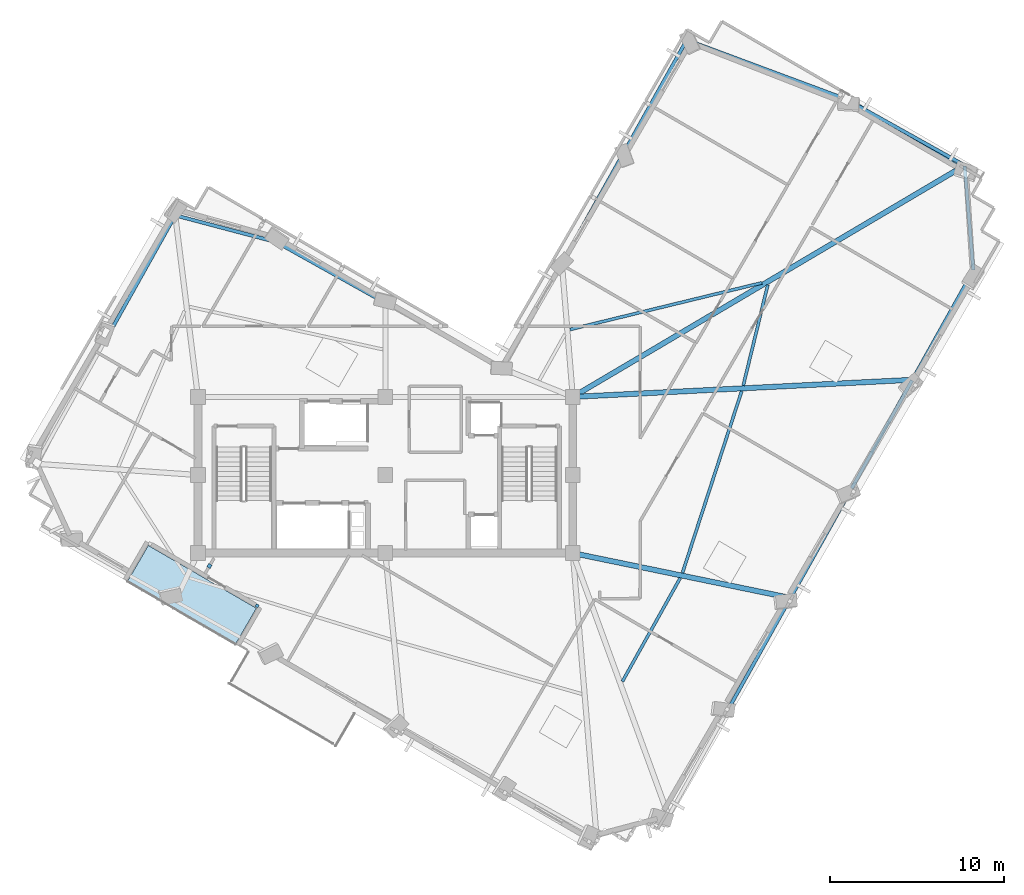
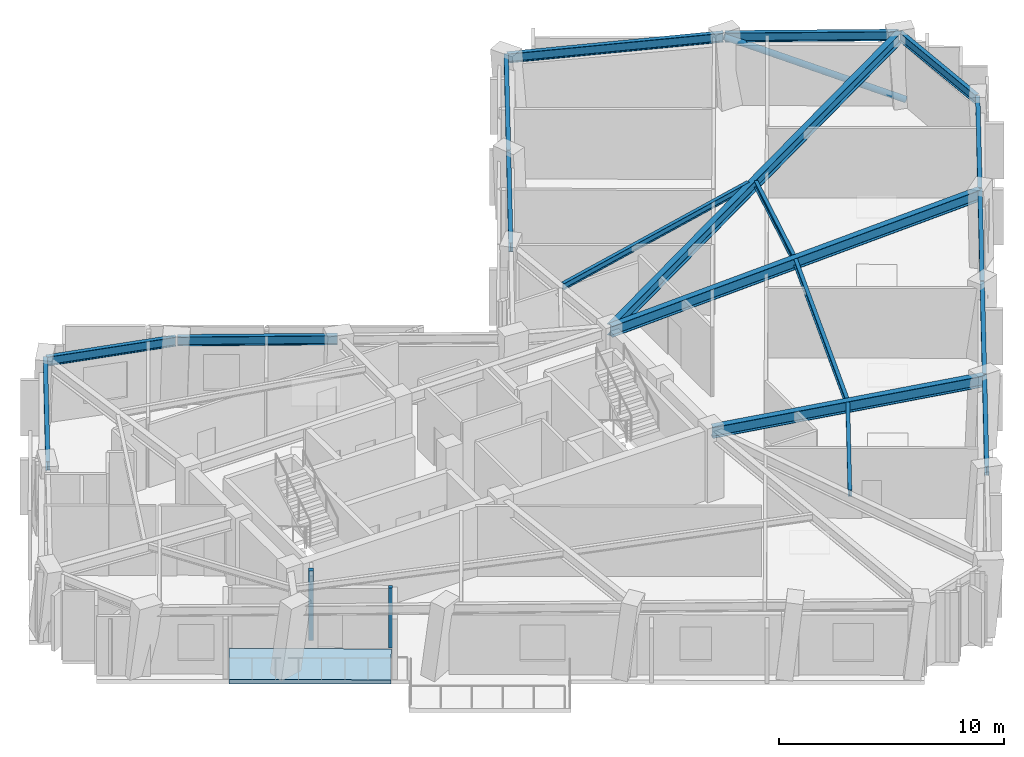
# One storey, part 2 of 12: 19 beams, 2 plates, 1 member, 1 slab.
"""IFC4 building model written with IfcOpenShell, lengths in metres."""

from ifc_helpers import new_model, si_unit, direction, frame, origin, origin_2d, place, context, subcontext, project, spatial, polyline, rectangle, hollow_circle, i_section, outline, extrude, material, layer, layer_set, material_profile, profile_set, type_object, element, save


model = new_model("IFC4")

# Units and contexts
model_context = context("Model", 3, precision=1e-05, world=origin(), true_north=direction((0.0, 1.0)))
body_context = subcontext(model_context, "Body", "Model", "MODEL_VIEW")
ifc_project = project(units=[si_unit("LENGTHUNIT", "METRE"), si_unit("AREAUNIT", "SQUARE_METRE"), si_unit("VOLUMEUNIT", "CUBIC_METRE"), si_unit("PLANEANGLEUNIT", "RADIAN"), si_unit("MASSUNIT", "GRAM", prefix="KILO")], contexts=[model_context])

# Site, building, storey
site_placement = place(None, origin())
site = spatial("IfcSite", under=ifc_project, at=site_placement, CompositionType="ELEMENT")
building_placement = place(site_placement, origin())
building = spatial("IfcBuilding", under=site, at=building_placement, Name="Gaonmaruhae Medical Tower", CompositionType="ELEMENT")
storey_placement = place(building_placement, frame((0.0, 0.0, 280.60009765625)))
storey = spatial("IfcBuildingStorey", under=building, at=storey_placement, Name="L67", CompositionType="ELEMENT", Elevation=280.60009765625)

# Beams
ifc_material_1 = material(Name="Steel SM355", Category="steel")
ifc_material_profile_1 = material_profile(ifc_material_1, i_section(OverallWidth=0.175048828125, OverallDepth=0.35009765625, WebThickness=0.007080078125, FlangeThickness=0.010986328125, FilletRadius=0.012939453125, at=origin_2d()), Name="H-350x175x7x11")
ifc_profile_set_1 = profile_set([ifc_material_profile_1], Name="Steel SM355")
beam_type_1 = type_object("IfcBeamType", Name="FJ-02 Upper Zone Ward Floor Joist (H-350x175x7x11)", PredefinedType="JOIST", material=ifc_profile_set_1)
beam_1_placement = place(storey_placement, frame((38.458984375, 0.401123046875, 3.60498046875), z_axis=(0.487846984518, 0.872929160755, 0.0), x_axis=(-0.872929160755, 0.487846984518, 0.0)))
element("IfcBeam", 1, at=beam_1_placement, inside=storey, type_object=beam_type_1, Name="L67 Secondary Floor Joist FJ01", PredefinedType="JOIST", context=body_context, shape_type="SweptSolid", body=[
    extrude(i_section(OverallWidth=0.175048828125, OverallDepth=0.35009765625, WebThickness=0.007080078125, FlangeThickness=0.010986328125, FilletRadius=0.012939453125, at=origin_2d()), origin(), (0.0, 0.0, 1.0), 6.83251953125),
])
beam_2_placement = place(storey_placement, frame((41.920654296875, 6.6572265625, 3.60498046875), z_axis=(0.309679687803, 0.950840938834, 0.0), x_axis=(-0.950840938834, 0.309679687803, 0.0)))
element("IfcBeam", 2, at=beam_2_placement, inside=storey, type_object=beam_type_1, Name="L67 Secondary Floor Joist FJ02", PredefinedType="JOIST", context=body_context, shape_type="SweptSolid", body=[
    extrude(i_section(OverallWidth=0.175048828125, OverallDepth=0.35009765625, WebThickness=0.007080078125, FlangeThickness=0.010986328125, FilletRadius=0.012939453125, at=origin_2d()), origin(), (0.0, 0.0, 1.0), 11.01904296875),
])
beam_3_placement = place(storey_placement, frame((45.423095703125, 17.450927734375, 3.60498046875), z_axis=(0.236602697419, 0.971606485967, 0.0), x_axis=(-0.971606485967, 0.236602697419, 0.0)))
element("IfcBeam", 3, at=beam_3_placement, inside=storey, type_object=beam_type_1, Name="L67 Secondary Floor Joist FJ03", PredefinedType="JOIST", context=body_context, shape_type="SweptSolid", body=[
    extrude(i_section(OverallWidth=0.175048828125, OverallDepth=0.35009765625, WebThickness=0.007080078125, FlangeThickness=0.010986328125, FilletRadius=0.012939453125, at=origin_2d()), origin(), (0.0, 0.0, 1.0), 5.978515625),
])
beam_4_placement = place(storey_placement, frame((46.499267578125, 23.374267578125, 3.60498046875), z_axis=(-0.97163524177, -0.236484580788, 0.0), x_axis=(0.236484580788, -0.97163524177, 0.0)))
element("IfcBeam", 4, at=beam_4_placement, inside=storey, type_object=beam_type_1, Name="L67 Secondary Floor Joist FJ04", PredefinedType="JOIST", context=body_context, shape_type="SweptSolid", body=[
    extrude(i_section(OverallWidth=0.175048828125, OverallDepth=0.35009765625, WebThickness=0.007080078125, FlangeThickness=0.010986328125, FilletRadius=0.012939453125, at=origin_2d()), origin(), (0.0, 0.0, 1.0), 11.3818359375),
])

# Member
ifc_material_profile_2 = material_profile(ifc_material_1, hollow_circle(Radius=0.1591796875, WallThickness=0.01025390625, at=origin_2d()), Name="CHS-318.5x10.3")
ifc_profile_set_2 = profile_set([ifc_material_profile_2], Name="Steel SM355")
member_type = type_object("IfcMemberType", Name="PB-03 Perimeter Solid-Bay Tube Brace Upper (CHS-318.5x10.3)", PredefinedType="BRACE", material=ifc_profile_set_2)
member_placement = place(storey_placement, frame((58.262451171875, 29.729736328125, 0.25), z_axis=(-0.790585361821, 0.483221048967, 0.376127908443), x_axis=(-0.521517232434, -0.853240749305, 0.0)))
element("IfcMember", 5, at=member_placement, inside=storey, type_object=member_type, Name="L67 Perimeter Tube Solid-Bay Brace E01-E02", PredefinedType="BRACE", context=body_context, shape_type="SweptSolid", body=[
    extrude(hollow_circle(Radius=0.1591796875, WallThickness=0.01025390625, at=origin_2d()), origin(), (0.0, 0.0, 1.0), 8.719970703125),
])

# Beams
ifc_material_2 = material(Name="Steel SM420", Category="steel")
ifc_material_profile_3 = material_profile(ifc_material_2, i_section(OverallWidth=0.300048828125, OverallDepth=0.60009765625, WebThickness=0.011962890625, FlangeThickness=0.02001953125, FilletRadius=0.012939453125, at=origin_2d()), Name="H-600x300x12x20")
ifc_profile_set_3 = profile_set([ifc_material_profile_3], Name="Steel SM420")
beam_type_2 = type_object("IfcBeamType", Name="PG-04 Zone 4 Radial Floor Girder (H-600x300x12x20)", PredefinedType="BEAM", material=ifc_profile_set_3)
beam_5_placement = place(storey_placement, frame((35.64892578125, 7.789794921875, 3.47998046875), z_axis=(0.979436837257, -0.201751039213, 0.0), x_axis=(0.201751039213, 0.979436837257, 0.0)))
element("IfcBeam", 6, at=beam_5_placement, inside=storey, type_object=beam_type_2, Name="L67 Radial Primary Girder S03", PredefinedType="BEAM", context=body_context, shape_type="SweptSolid", body=[
    extrude(i_section(OverallWidth=0.300048828125, OverallDepth=0.60009765625, WebThickness=0.011962890625, FlangeThickness=0.02001953125, FilletRadius=0.012939453125, at=origin_2d()), origin(), (0.0, 0.0, 1.0), 12.707275390625),
])
beam_6_placement = place(storey_placement, frame((35.64990234375, 16.802490234375, 3.47998046875), z_axis=(0.998733088953, 0.050321139009, 0.0), x_axis=(-0.050321139009, 0.998733088953, 0.0)))
element("IfcBeam", 7, at=beam_6_placement, inside=storey, type_object=beam_type_2, Name="L67 Radial Primary Girder S05", PredefinedType="BEAM", context=body_context, shape_type="SweptSolid", body=[
    extrude(i_section(OverallWidth=0.300048828125, OverallDepth=0.60009765625, WebThickness=0.011962890625, FlangeThickness=0.02001953125, FilletRadius=0.012939453125, at=origin_2d()), origin(), (0.0, 0.0, 1.0), 19.493896484375),
])
beam_7_placement = place(storey_placement, frame((35.64306640625, 16.825439453125, 3.47998046875), z_axis=(0.860979364259, 0.508639886679, 0.0), x_axis=(-0.508639886679, 0.860979364259, 0.0)))
element("IfcBeam", 8, at=beam_7_placement, inside=storey, type_object=beam_type_2, Name="L67 Radial Primary Girder E01", PredefinedType="BEAM", context=body_context, shape_type="SweptSolid", body=[
    extrude(i_section(OverallWidth=0.300048828125, OverallDepth=0.60009765625, WebThickness=0.011962890625, FlangeThickness=0.02001953125, FilletRadius=0.012939453125, at=origin_2d()), origin(), (0.0, 0.0, 1.0), 26.122802734375),
])
ifc_material_profile_4 = material_profile(ifc_material_1, i_section(OverallWidth=0.199951171875, OverallDepth=0.5, WebThickness=0.010009765625, FlangeThickness=0.01611328125, FilletRadius=0.012939453125, at=origin_2d()), Name="H-500x200x10x16")
ifc_profile_set_4 = profile_set([ifc_material_profile_4], Name="Steel SM355")
beam_type_3 = type_object("IfcBeamType", Name="SP-02 Upper Perimeter Spandrel Beam (H-500x200x10x16)", PredefinedType="SPANDREL", material=ifc_profile_set_4)
beam_8_placement = place(storey_placement, frame((44.65087890625, -1.0341796875, 3.52978515625), z_axis=(0.487874384928, 0.872913847141, 0.0), x_axis=(-0.872913847141, 0.487874384928, 0.0)))
element("IfcBeam", 9, at=beam_8_placement, inside=storey, type_object=beam_type_3, Name="L67 Perimeter Spandrel Beam S02-S03", PredefinedType="SPANDREL", context=body_context, shape_type="SweptSolid", body=[
    extrude(i_section(OverallWidth=0.199951171875, OverallDepth=0.5, WebThickness=0.010009765625, FlangeThickness=0.01611328125, FilletRadius=0.012939453125, at=origin_2d()), origin(), (0.0, 0.0, 1.0), 7.119873046875),
])
beam_9_placement = place(storey_placement, frame((48.163330078125, 5.250732421875, 3.52978515625), z_axis=(0.487859782248, 0.872922008467, 0.0), x_axis=(-0.872922008467, 0.487859782248, 0.0)))
element("IfcBeam", 10, at=beam_9_placement, inside=storey, type_object=beam_type_3, Name="L67 Perimeter Spandrel Beam S03-S04", PredefinedType="SPANDREL", context=body_context, shape_type="SweptSolid", body=[
    extrude(i_section(OverallWidth=0.199951171875, OverallDepth=0.5, WebThickness=0.010009765625, FlangeThickness=0.01611328125, FilletRadius=0.012939453125, at=origin_2d()), origin(), (0.0, 0.0, 1.0), 7.1201171875),
])
beam_10_placement = place(storey_placement, frame((51.676025390625, 11.535888671875, 3.52978515625), z_axis=(0.487874384928, 0.872913847141, 0.0), x_axis=(-0.872913847141, 0.487874384928, 0.0)))
element("IfcBeam", 11, at=beam_10_placement, inside=storey, type_object=beam_type_3, Name="L67 Perimeter Spandrel Beam S04-S05", PredefinedType="SPANDREL", context=body_context, shape_type="SweptSolid", body=[
    extrude(i_section(OverallWidth=0.199951171875, OverallDepth=0.5, WebThickness=0.010009765625, FlangeThickness=0.01611328125, FilletRadius=0.012939453125, at=origin_2d()), origin(), (0.0, 0.0, 1.0), 7.119873046875),
])
beam_11_placement = place(storey_placement, frame((55.188720703125, 17.82080078125, 3.52978515625), z_axis=(0.48783365384, 0.872936610632, 0.0), x_axis=(-0.872936610632, 0.48783365384, 0.0)))
element("IfcBeam", 12, at=beam_11_placement, inside=storey, type_object=beam_type_3, Name="L67 Perimeter Spandrel Beam S05-S06", PredefinedType="SPANDREL", context=body_context, shape_type="SweptSolid", body=[
    extrude(i_section(OverallWidth=0.199951171875, OverallDepth=0.5, WebThickness=0.010009765625, FlangeThickness=0.01611328125, FilletRadius=0.012939453125, at=origin_2d()), origin(), (0.0, 0.0, 1.0), 7.1201171875),
])
beam_12_placement = place(storey_placement, frame((58.678466796875, 24.11083984375, 3.52978515625), z_axis=(-0.082857150741, 0.996561434419, 0.0), x_axis=(-0.996561434419, -0.082857150741, 0.0)))
element("IfcBeam", 13, at=beam_12_placement, inside=storey, type_object=beam_type_3, Name="L67 Perimeter Spandrel Beam S06-E01", PredefinedType="SPANDREL", context=body_context, shape_type="SweptSolid", body=[
    extrude(i_section(OverallWidth=0.199951171875, OverallDepth=0.5, WebThickness=0.010009765625, FlangeThickness=0.01611328125, FilletRadius=0.012939453125, at=origin_2d()), origin(), (0.0, 0.0, 1.0), 6.008056640625),
])
beam_13_placement = place(storey_placement, frame((58.142578125, 30.157470703125, 3.52978515625), z_axis=(-0.872919320024, 0.487864592617, 0.0), x_axis=(-0.487864592617, -0.872919320024, 0.0)))
element("IfcBeam", 14, at=beam_13_placement, inside=storey, type_object=beam_type_3, Name="L67 Perimeter Spandrel Beam E01-E02", PredefinedType="SPANDREL", context=body_context, shape_type="SweptSolid", body=[
    extrude(i_section(OverallWidth=0.199951171875, OverallDepth=0.5, WebThickness=0.010009765625, FlangeThickness=0.01611328125, FilletRadius=0.012939453125, at=origin_2d()), origin(), (0.0, 0.0, 1.0), 7.719970703125),
])
beam_14_placement = place(storey_placement, frame((51.3310546875, 33.957275390625, 3.52978515625), z_axis=(-0.937220707346, 0.348736785731, 0.0), x_axis=(-0.348736785731, -0.937220707346, 0.0)))
element("IfcBeam", 15, at=beam_14_placement, inside=storey, type_object=beam_type_3, Name="L67 Perimeter Spandrel Beam E02-E03", PredefinedType="SPANDREL", context=body_context, shape_type="SweptSolid", body=[
    extrude(i_section(OverallWidth=0.199951171875, OverallDepth=0.5, WebThickness=0.010009765625, FlangeThickness=0.01611328125, FilletRadius=0.012939453125, at=origin_2d()), origin(), (0.0, 0.0, 1.0), 9.735107421875),
])
beam_15_placement = place(storey_placement, frame((42.14990234375, 37.331298828125, 3.52978515625), z_axis=(-0.487855785153, -0.872924242356, 0.0), x_axis=(0.872924242356, -0.487855785153, 0.0)))
element("IfcBeam", 16, at=beam_15_placement, inside=storey, type_object=beam_type_3, Name="L67 Perimeter Spandrel Beam E03-EN01", PredefinedType="SPANDREL", context=body_context, shape_type="SweptSolid", body=[
    extrude(i_section(OverallWidth=0.199951171875, OverallDepth=0.5, WebThickness=0.010009765625, FlangeThickness=0.01611328125, FilletRadius=0.012939453125, at=origin_2d()), origin(), (0.0, 0.0, 1.0), 7.469970703125),
])
for number, where, z_axis, x_axis, name in (
    (17, (38.466552734375, 30.74072265625, 3.52978515625), (-0.48783365384, -0.872936610632, 0.0), (0.872936610632, -0.48783365384, 0.0), "L67 Perimeter Spandrel Beam EN01-EN02"),
    (18, (24.782958984375, 22.22412109375, 3.52978515625), (-0.872922008467, 0.487859782248, 0.0), (-0.487859782248, -0.872922008467, 0.0), "L67 Perimeter Spandrel Beam NE01-NE02"),
):
    element("IfcBeam", number, at=place(storey_placement, frame(where, z_axis=z_axis, x_axis=x_axis)), inside=storey, type_object=beam_type_3, Name=name, PredefinedType="SPANDREL", context=body_context, shape_type="SweptSolid", body=[
        extrude(i_section(OverallWidth=0.199951171875, OverallDepth=0.5, WebThickness=0.010009765625, FlangeThickness=0.01611328125, FilletRadius=0.012939453125, at=origin_2d()), origin(), (0.0, 0.0, 1.0), 7.1201171875),
    ])
beam_16_placement = place(storey_placement, frame((18.494140625, 25.7275390625, 3.52978515625), z_axis=(-0.96673830606, 0.255767565569, 0.0), x_axis=(-0.255767565569, -0.96673830606, 0.0)))
element("IfcBeam", 19, at=beam_16_placement, inside=storey, type_object=beam_type_3, Name="L67 Perimeter Spandrel Beam NE02-N01", PredefinedType="SPANDREL", context=body_context, shape_type="SweptSolid", body=[
    extrude(i_section(OverallWidth=0.199951171875, OverallDepth=0.5, WebThickness=0.010009765625, FlangeThickness=0.01611328125, FilletRadius=0.012939453125, at=origin_2d()), origin(), (0.0, 0.0, 1.0), 5.959228515625),
])
beam_17_placement = place(storey_placement, frame((12.6748046875, 27.22705078125, 3.52978515625), z_axis=(-0.487859767849, -0.872922016514, 0.0), x_axis=(0.872922016514, -0.487859767849, 0.0)))
element("IfcBeam", 20, at=beam_17_placement, inside=storey, type_object=beam_type_3, Name="L67 Perimeter Spandrel Beam N01-N02", PredefinedType="SPANDREL", context=body_context, shape_type="SweptSolid", body=[
    extrude(i_section(OverallWidth=0.199951171875, OverallDepth=0.5, WebThickness=0.010009765625, FlangeThickness=0.01611328125, FilletRadius=0.012939453125, at=origin_2d()), origin(), (0.0, 0.0, 1.0), 8.1201171875),
])

# Plates
ifc_material_3 = material(Name="Anodised aluminium 6063-T6", Category="aluminium")
ifc_layer_1 = layer(ifc_material_3, 0.011962890625)
ifc_layer_set_1 = layer_set([ifc_layer_1], Name="Anodised aluminium 6063-T6")
plate_type = type_object("IfcPlateType", Name="PP-01 Interior Partition Corner Stiffener Plate", PredefinedType="SHEET", material=ifc_layer_set_1)
plate_1_placement = place(storey_placement, frame((17.405517578125, 4.76318359375, 0.0), z_axis=(0.0, 0.0, 1.0), x_axis=(-0.86471344052, 0.502265533143, 0.0)))
element("IfcPlate", 21, at=plate_1_placement, inside=storey, type_object=plate_type, Name="L67 Partition End Jamb Post Plate PLT-L67-ENDP-TERB-0", PredefinedType="SHEET", context=body_context, shape_type="SweptSolid", body=[
    extrude(rectangle(XDim=0.179931640625, YDim=0.179931640625, at=origin_2d()), origin(), (0.0, 0.0, 1.0), 3.264892578125),
])
plate_2_placement = place(storey_placement, frame((14.66650390625, 7.056884765625, 0.0), z_axis=(0.0, 0.0, 1.0), x_axis=(-0.502537166092, -0.86455560648, 0.0)))
element("IfcPlate", 22, at=plate_2_placement, inside=storey, type_object=plate_type, Name="L67 Partition Corner Stiffener Plate PLT-L67-JGP-PW041", PredefinedType="SHEET", context=body_context, shape_type="SweptSolid", body=[
    extrude(rectangle(XDim=0.219970703125, YDim=0.219970703125, at=origin_2d()), origin(), (0.0, 0.0, 1.0), 3.780029296875),
])

# Slab
ifc_material_4 = material(Name="Concrete C40/50", Category="concrete")
ifc_layer_2 = layer(ifc_material_4, 0.239990234375)
ifc_layer_set_2 = layer_set([ifc_layer_2], Name="Concrete C40/50")
slab_type = type_object("IfcSlabType", Name="TS-240 Sky Garden & Recovery Terrace Slab", PredefinedType="FLOOR", material=ifc_layer_set_2)
slab_placement = place(storey_placement, frame((0.0, 0.0, -0.239990234375)))
element("IfcSlab", 23, at=slab_placement, inside=storey, type_object=slab_type, Name="L67 Outdoor Recovery Terrace Slab", PredefinedType="FLOOR", context=body_context, shape_type="SweptSolid", body=[
    extrude(outline(polyline([(16.1640625, 2.546875), (17.36962890625, 4.6220703125), (11.143798828125, 8.238525390625), (9.938232421875, 6.1630859375), (16.1640625, 2.546875)])), origin(), (0.0, 0.0, 1.0), 0.239990234375),
])

save(model, "model.ifc")
